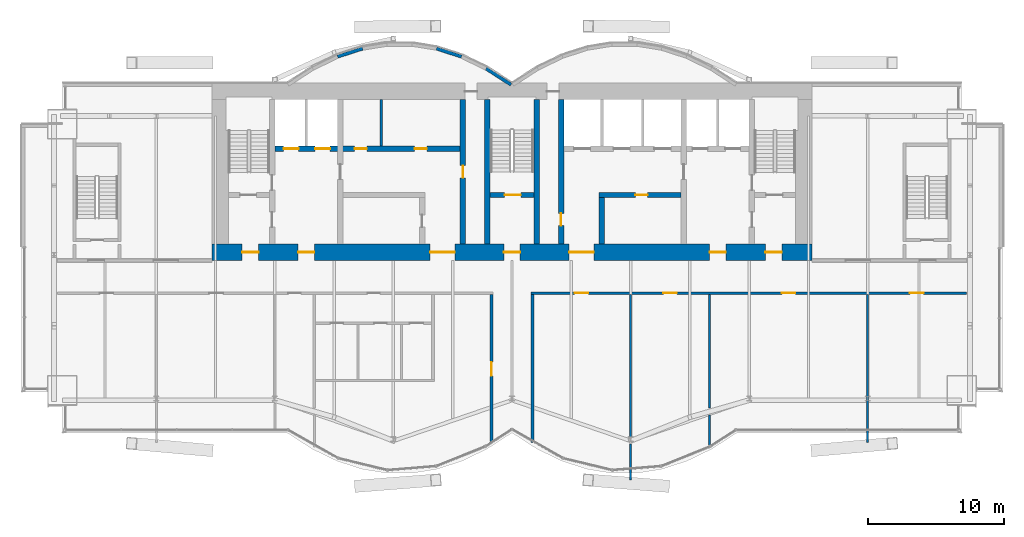
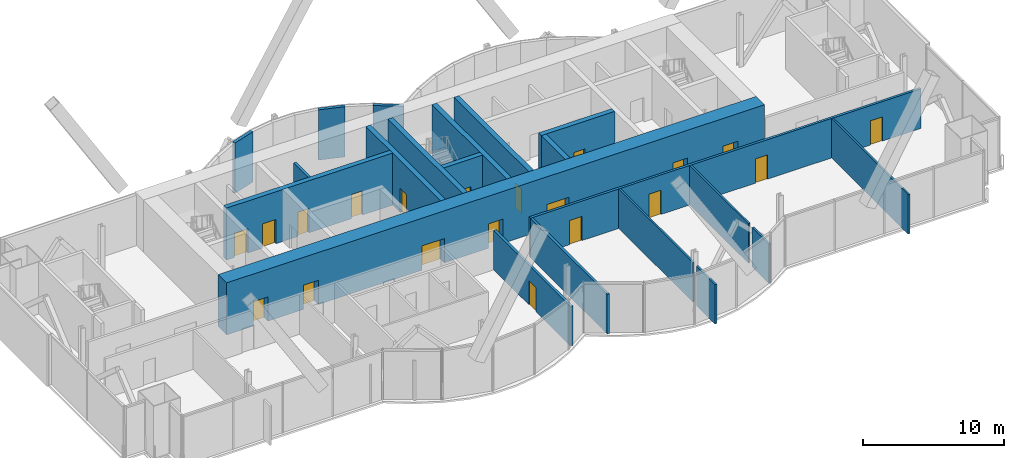
# One storey, part 14 of 19: 21 walls, 20 doors, 20 openings.
"""IFC4 building model written with IfcOpenShell, lengths in metres."""

from ifc_helpers import new_model, si_unit, direction, frame, frame_2d, origin, place, context, subcontext, project, spatial, rectangle, extrude, material, layer, layer_set, layer_usage, type_object, element, fill, save


model = new_model("IFC4")

# Units and contexts
model_context = context("Model", 3, precision=1e-05, world=origin(), true_north=direction((0.0, 1.0)))
body_context = subcontext(model_context, "Body", "Model", "MODEL_VIEW")
ifc_project = project(units=[si_unit("LENGTHUNIT", "METRE"), si_unit("AREAUNIT", "SQUARE_METRE"), si_unit("VOLUMEUNIT", "CUBIC_METRE"), si_unit("PLANEANGLEUNIT", "RADIAN"), si_unit("MASSUNIT", "GRAM", prefix="KILO")], contexts=[model_context])

# Site, building, storey
site_placement = place(None, origin())
site = spatial("IfcSite", under=ifc_project, at=site_placement, CompositionType="ELEMENT")
building_placement = place(site_placement, origin())
building = spatial("IfcBuilding", under=site, at=building_placement, Name="Bicima Exchange Tower", CompositionType="ELEMENT")
storey_placement = place(building_placement, frame((0.0, 0.0, 324.5)))
storey = spatial("IfcBuildingStorey", under=building, at=storey_placement, Name="L73", CompositionType="ELEMENT", Elevation=324.5)

# Wall, openings, doors
ifc_material_1 = material(Name="Gypsum board partition")
ifc_layer_1 = layer(ifc_material_1, 0.199951171875)
ifc_layer_set_1 = layer_set([ifc_layer_1], Name="Gypsum board partition")
wall_type_1 = type_object("IfcWallType", Name="Fire-rated gypsum partition 200 EI60", PredefinedType="PARTITIONING", material=ifc_layer_set_1)
wall_1_placement = place(storey_placement, frame((1.39990234375, -15.39990234375, 0.0), z_axis=(0.0, 0.0, 1.0), x_axis=(1.0, 0.0, 0.0)))
wall_1 = element("IfcWall", 1, at=wall_1_placement, inside=storey, type_object=wall_type_1, Name="partition wall 4", PredefinedType="PARTITIONING", context=body_context, shape_type="SweptSolid", body=[
    extrude(rectangle(XDim=31.940185546875, YDim=0.199951171875, at=frame_2d((15.97021484375, 0.0))), origin(), (0.0, 0.0, 1.0), 3.418212890625),
])
opening_1_placement = place(wall_1_placement, frame((3.199951171875, 0.0, 0.0)))
opening_1 = element("IfcOpeningElement", 2, at=opening_1_placement, cuts=wall_1, Name="Opening L73-015", PredefinedType="OPENING", context=body_context, shape_type="SweptSolid", body=[
    extrude(rectangle(XDim=1.0, YDim=2.10009765625, at=frame_2d((0.5, 1.050048828125))), frame((0.0, 0.11181640625, 0.0), z_axis=(0.0, -1.0, 0.0), x_axis=(1.0, 0.0, 0.0)), (0.0, 0.0, 1.0), 0.223876953125),
])
opening_2_placement = place(wall_1_placement, frame((9.699951171875, 0.0, 0.0)))
opening_2 = element("IfcOpeningElement", 3, at=opening_2_placement, cuts=wall_1, Name="Opening L73-016", PredefinedType="OPENING", context=body_context, shape_type="SweptSolid", body=[
    extrude(rectangle(XDim=1.0, YDim=2.10009765625, at=frame_2d((0.5, 1.050048828125))), frame((0.0, 0.11181640625, 0.0), z_axis=(0.0, -1.0, 0.0), x_axis=(1.0, 0.0, 0.0)), (0.0, 0.0, 1.0), 0.223876953125),
])
opening_3_placement = place(wall_1_placement, frame((18.39990234375, 0.0, 0.0)))
opening_3 = element("IfcOpeningElement", 4, at=opening_3_placement, cuts=wall_1, Name="Opening L73-017", PredefinedType="OPENING", context=body_context, shape_type="SweptSolid", body=[
    extrude(rectangle(XDim=1.0, YDim=2.10009765625, at=frame_2d((0.5, 1.050048828125))), frame((0.0, 0.11181640625, 0.0), z_axis=(0.0, -1.0, 0.0), x_axis=(1.0, 0.0, 0.0)), (0.0, 0.0, 1.0), 0.223876953125),
])
opening_4_placement = place(wall_1_placement, frame((27.800048828125, 0.0, 0.0)))
opening_4 = element("IfcOpeningElement", 5, at=opening_4_placement, cuts=wall_1, Name="Opening L73-018", PredefinedType="OPENING", context=body_context, shape_type="SweptSolid", body=[
    extrude(rectangle(XDim=1.0, YDim=2.10009765625, at=frame_2d((0.5, 1.050048828125))), frame((0.0, 0.11181640625, 0.0), z_axis=(0.0, -1.0, 0.0), x_axis=(1.0, 0.0, 0.0)), (0.0, 0.0, 1.0), 0.223876953125),
])
ifc_material_2 = material(Name="Steel fire door leaf", Category="steel")
door_type_1 = type_object("IfcDoorType", Name="Door 1000 swing FD30S", OperationType="SINGLE_SWING_LEFT", PredefinedType="DOOR", material=ifc_material_2)
door_1_placement = place(opening_1_placement, frame((1.0, 0.0, 0.0), z_axis=(0.0, 0.0, 1.0), x_axis=(-1.0, 0.0, 0.0)))
door_1 = element("IfcDoor", 6, at=door_1_placement, inside=storey, type_object=door_type_1, Name="Door", OperationType="SINGLE_SWING_RIGHT", OverallHeight=2.10009765625, OverallWidth=1.0, PredefinedType="DOOR", context=body_context, shape_type="SweptSolid", body=[
    extrude(rectangle(XDim=1.0, YDim=2.10009765625, at=frame_2d((0.5, 1.050048828125))), frame((0.0, 0.02490234375, 0.0), z_axis=(0.0, -1.0, 0.0), x_axis=(1.0, 0.0, 0.0)), (0.0, 0.0, 1.0), 0.050048828125),
])
fill(opening_1, door_1)
door_2_placement = place(opening_2_placement, frame((1.0, 0.0, 0.0), z_axis=(0.0, 0.0, 1.0), x_axis=(-1.0, 0.0, 0.0)))
door_2 = element("IfcDoor", 7, at=door_2_placement, inside=storey, type_object=door_type_1, Name="Door", OperationType="SINGLE_SWING_LEFT", OverallHeight=2.10009765625, OverallWidth=1.0, PredefinedType="DOOR", context=body_context, shape_type="SweptSolid", body=[
    extrude(rectangle(XDim=1.0, YDim=2.10009765625, at=frame_2d((0.5, 1.050048828125))), frame((0.0, 0.02490234375, 0.0), z_axis=(0.0, -1.0, 0.0), x_axis=(1.0, 0.0, 0.0)), (0.0, 0.0, 1.0), 0.050048828125),
])
fill(opening_2, door_2)
door_3_placement = place(opening_3_placement, frame((1.0, 0.0, 0.0), z_axis=(0.0, 0.0, 1.0), x_axis=(-1.0, 0.0, 0.0)))
door_3 = element("IfcDoor", 8, at=door_3_placement, inside=storey, type_object=door_type_1, Name="Door", OperationType="SINGLE_SWING_RIGHT", OverallHeight=2.10009765625, OverallWidth=1.0, PredefinedType="DOOR", context=body_context, shape_type="SweptSolid", body=[
    extrude(rectangle(XDim=1.0, YDim=2.10009765625, at=frame_2d((0.5, 1.050048828125))), frame((0.0, 0.02490234375, 0.0), z_axis=(0.0, -1.0, 0.0), x_axis=(1.0, 0.0, 0.0)), (0.0, 0.0, 1.0), 0.050048828125),
])
fill(opening_3, door_3)
door_4_placement = place(opening_4_placement, frame((1.0, 0.0, 0.0), z_axis=(0.0, 0.0, 1.0), x_axis=(-1.0, 0.0, 0.0)))
door_4 = element("IfcDoor", 9, at=door_4_placement, inside=storey, type_object=door_type_1, Name="Door", OperationType="SINGLE_SWING_RIGHT", OverallHeight=2.10009765625, OverallWidth=1.0, PredefinedType="DOOR", context=body_context, shape_type="SweptSolid", body=[
    extrude(rectangle(XDim=1.0, YDim=2.10009765625, at=frame_2d((0.5, 1.050048828125))), frame((0.0, 0.02490234375, 0.0), z_axis=(0.0, -1.0, 0.0), x_axis=(1.0, 0.0, 0.0)), (0.0, 0.0, 1.0), 0.050048828125),
])
fill(opening_4, door_4)

# Wall, opening, door
wall_2_placement = place(storey_placement, frame((-1.5, -26.3701171875, 0.0), z_axis=(0.0, 0.0, 1.0), x_axis=(0.0, 1.0, 0.0)))
wall_2 = element("IfcWall", 10, at=wall_2_placement, inside=storey, type_object=wall_type_1, Name="partition wall 21", PredefinedType="PARTITIONING", context=body_context, shape_type="SweptSolid", body=[
    extrude(rectangle(XDim=10.8701171875, YDim=0.199951171875, at=frame_2d((5.43505859375, 0.0))), origin(), (0.0, 0.0, 1.0), 3.418212890625),
])
opening_5_placement = place(wall_2_placement, frame((4.89990234375, 0.0, 0.0)))
opening_5 = element("IfcOpeningElement", 11, at=opening_5_placement, cuts=wall_2, Name="Opening L73-014", PredefinedType="OPENING", context=body_context, shape_type="SweptSolid", body=[
    extrude(rectangle(XDim=1.0, YDim=2.10009765625, at=frame_2d((0.5, 1.050048828125))), frame((0.0, 0.11181640625, 0.0), z_axis=(0.0, -1.0, 0.0), x_axis=(1.0, 0.0, 0.0)), (0.0, 0.0, 1.0), 0.223876953125),
])
door_5_placement = place(opening_5_placement, origin())
door_5 = element("IfcDoor", 12, at=door_5_placement, inside=storey, type_object=door_type_1, Name="Door", OperationType="SINGLE_SWING_LEFT", OverallHeight=2.10009765625, OverallWidth=1.0, PredefinedType="DOOR", context=body_context, shape_type="SweptSolid", body=[
    extrude(rectangle(XDim=1.0, YDim=2.10009765625, at=frame_2d((0.5, 1.050048828125))), frame((0.0, 0.02490234375, 0.0), z_axis=(0.0, -1.0, 0.0), x_axis=(1.0, 0.0, 0.0)), (0.0, 0.0, 1.0), 0.050048828125),
])
fill(opening_5, door_5)

# Walls
wall_3_placement = place(storey_placement, frame((1.5, -26.3701171875, 0.0), z_axis=(0.0, 0.0, 1.0), x_axis=(0.0, 1.0, 0.0)))
element("IfcWall", 13, at=wall_3_placement, inside=storey, type_object=wall_type_1, Name="partition wall 22", PredefinedType="PARTITIONING", context=body_context, shape_type="SweptSolid", body=[
    extrude(rectangle(XDim=10.8701171875, YDim=0.199951171875, at=frame_2d((5.43505859375, 0.0))), origin(), (0.0, 0.0, 1.0), 3.418212890625),
])
wall_4_placement = place(storey_placement, frame((-9.60009765625, -4.60009765625, 0.0), z_axis=(0.0, 0.0, 1.0), x_axis=(0.0, 1.0, 0.0)))
element("IfcWall", 14, at=wall_4_placement, inside=storey, type_object=wall_type_1, Name="partition wall 11", PredefinedType="PARTITIONING", context=body_context, shape_type="SweptSolid", body=[
    extrude(rectangle(XDim=3.400146484375, YDim=0.199951171875, at=frame_2d((1.7001953125, 0.0))), origin(), (0.0, 0.0, 1.0), 3.418212890625),
])
ifc_layer_2 = layer(ifc_material_1, 0.14990234375)
ifc_layer_set_2 = layer_set([ifc_layer_2], Name="Gypsum board partition")
wall_type_2 = type_object("IfcWallType", Name="Gypsum partition 150", PredefinedType="PARTITIONING", material=ifc_layer_set_2)
wall_5_placement = place(storey_placement, frame((8.699951171875, -29.12890625, 0.0), z_axis=(0.0, 0.0, 1.0), x_axis=(0.0, 1.0, 0.0)))
element("IfcWall", 15, at=wall_5_placement, inside=storey, type_object=wall_type_2, Name="partition wall 23", PredefinedType="PARTITIONING", context=body_context, shape_type="SweptSolid", body=[
    extrude(rectangle(XDim=2.641845703125, YDim=0.14990234375, at=frame_2d((1.32080078125, 0.0))), origin(), (0.0, 0.0, 1.0), 3.418212890625),
])
wall_6_placement = place(storey_placement, frame((8.699951171875, -25.999267578125, 0.0), z_axis=(0.0, 0.0, 1.0), x_axis=(0.0, 1.0, 0.0)))
element("IfcWall", 16, at=wall_6_placement, inside=storey, type_object=wall_type_2, Name="partition wall 24", PredefinedType="PARTITIONING", context=body_context, shape_type="SweptSolid", body=[
    extrude(rectangle(XDim=10.499267578125, YDim=0.14990234375, at=frame_2d((5.24951171875, 0.0))), origin(), (0.0, 0.0, 1.0), 3.418212890625),
])
wall_7_placement = place(storey_placement, frame((14.5, -26.679931640625, 0.0), z_axis=(0.0, 0.0, 1.0), x_axis=(0.0, 1.0, 0.0)))
element("IfcWall", 17, at=wall_7_placement, inside=storey, type_object=wall_type_2, Name="partition wall 25", PredefinedType="PARTITIONING", context=body_context, shape_type="SweptSolid", body=[
    extrude(rectangle(XDim=2.329833984375, YDim=0.14990234375, at=frame_2d((1.1650390625, 0.0))), origin(), (0.0, 0.0, 1.0), 3.418212890625),
])
wall_8_placement = place(storey_placement, frame((14.5, -23.820068359375, 0.0), z_axis=(0.0, 0.0, 1.0), x_axis=(0.0, 1.0, 0.0)))
element("IfcWall", 18, at=wall_8_placement, inside=storey, type_object=wall_type_2, Name="partition wall 26", PredefinedType="PARTITIONING", context=body_context, shape_type="SweptSolid", body=[
    extrude(rectangle(XDim=8.320068359375, YDim=0.14990234375, at=frame_2d((4.16015625, 0.0))), origin(), (0.0, 0.0, 1.0), 3.418212890625),
])
wall_9_placement = place(storey_placement, frame((26.10009765625, -26.361083984375, 0.0), z_axis=(0.0, 0.0, 1.0), x_axis=(0.0, 1.0, 0.0)))
element("IfcWall", 19, at=wall_9_placement, inside=storey, type_object=wall_type_2, Name="partition wall 27", PredefinedType="PARTITIONING", context=body_context, shape_type="SweptSolid", body=[
    extrude(rectangle(XDim=10.861083984375, YDim=0.14990234375, at=frame_2d((5.4306640625, 0.0))), origin(), (0.0, 0.0, 1.0), 3.418212890625),
])

# Wall, openings, doors
ifc_material_3 = material(Name="Concrete C40/50", Category="concrete")
ifc_layer_3 = layer(ifc_material_3, 1.199951171875)
ifc_layer_set_3 = layer_set([ifc_layer_3], Name="Concrete C40/50")
wall_type_3 = type_object("IfcWallType", Name="RC core wall 1200 C40/50", PredefinedType="SHEAR", material=ifc_layer_set_3)
wall_10_placement = place(storey_placement, frame((-22.0, -12.39990234375, 0.0), z_axis=(0.0, 0.0, 1.0), x_axis=(1.0, 0.0, 0.0)))
wall_10 = element("IfcWall", 20, at=wall_10_placement, inside=storey, type_object=wall_type_3, Name="Core wall south", PredefinedType="SHEAR", context=body_context, shape_type="SweptSolid", body=[
    extrude(rectangle(XDim=44.0, YDim=1.199951171875, at=frame_2d((22.0, 0.0))), origin(), (0.0, 0.0, 1.0), 4.5),
])
opening_6_placement = place(wall_10_placement, frame((2.199951171875, 0.0, 0.0)))
opening_6 = element("IfcOpeningElement", 21, at=opening_6_placement, cuts=wall_10, Name="Opening L73-C18", PredefinedType="OPENING", context=body_context, shape_type="SweptSolid", body=[
    extrude(rectangle(XDim=1.199951171875, YDim=2.10009765625, at=frame_2d((0.60009765625, 1.050048828125))), frame((0.0, 0.61181640625, 0.0), z_axis=(0.0, -1.0, 0.0), x_axis=(1.0, 0.0, 0.0)), (0.0, 0.0, 1.0), 1.223876953125),
])
opening_7_placement = place(wall_10_placement, frame((21.39990234375, 0.0, 0.0)))
opening_7 = element("IfcOpeningElement", 22, at=opening_7_placement, cuts=wall_10, Name="Opening L73-C19", PredefinedType="OPENING", context=body_context, shape_type="SweptSolid", body=[
    extrude(rectangle(XDim=1.199951171875, YDim=2.10009765625, at=frame_2d((0.60009765625, 1.050048828125))), frame((0.0, 0.61181640625, 0.0), z_axis=(0.0, -1.0, 0.0), x_axis=(1.0, 0.0, 0.0)), (0.0, 0.0, 1.0), 1.223876953125),
])
opening_8_placement = place(wall_10_placement, frame((40.60009765625, 0.0, 0.0)))
opening_8 = element("IfcOpeningElement", 23, at=opening_8_placement, cuts=wall_10, Name="Opening L73-C20", PredefinedType="OPENING", context=body_context, shape_type="SweptSolid", body=[
    extrude(rectangle(XDim=1.199951171875, YDim=2.10009765625, at=frame_2d((0.60009765625, 1.050048828125))), frame((0.0, 0.61181640625, 0.0), z_axis=(0.0, -1.0, 0.0), x_axis=(1.0, 0.0, 0.0)), (0.0, 0.0, 1.0), 1.223876953125),
])
opening_9_placement = place(wall_10_placement, frame((16.0, 0.0, 0.0)))
opening_9 = element("IfcOpeningElement", 24, at=opening_9_placement, cuts=wall_10, Name="Opening L73-C21", PredefinedType="OPENING", context=body_context, shape_type="SweptSolid", body=[
    extrude(rectangle(XDim=1.800048828125, YDim=2.10009765625, at=frame_2d((0.89990234375, 1.050048828125))), frame((0.0, 0.61181640625, 0.0), z_axis=(0.0, -1.0, 0.0), x_axis=(1.0, 0.0, 0.0)), (0.0, 0.0, 1.0), 1.223876953125),
])
opening_10_placement = place(wall_10_placement, frame((6.300048828125, 0.0, 0.0)))
opening_10 = element("IfcOpeningElement", 25, at=opening_10_placement, cuts=wall_10, Name="Opening L73-C22", PredefinedType="OPENING", context=body_context, shape_type="SweptSolid", body=[
    extrude(rectangle(XDim=1.199951171875, YDim=2.10009765625, at=frame_2d((0.60009765625, 1.050048828125))), frame((0.0, 0.61181640625, 0.0), z_axis=(0.0, -1.0, 0.0), x_axis=(1.0, 0.0, 0.0)), (0.0, 0.0, 1.0), 1.223876953125),
])
opening_11_placement = place(wall_10_placement, frame((26.199951171875, 0.0, 0.0)))
opening_11 = element("IfcOpeningElement", 26, at=opening_11_placement, cuts=wall_10, Name="Opening L73-C23", PredefinedType="OPENING", context=body_context, shape_type="SweptSolid", body=[
    extrude(rectangle(XDim=1.800048828125, YDim=2.10009765625, at=frame_2d((0.89990234375, 1.050048828125))), frame((0.0, 0.61181640625, 0.0), z_axis=(0.0, -1.0, 0.0), x_axis=(1.0, 0.0, 0.0)), (0.0, 0.0, 1.0), 1.223876953125),
])
opening_12_placement = place(wall_10_placement, frame((36.5, 0.0, 0.0)))
opening_12 = element("IfcOpeningElement", 27, at=opening_12_placement, cuts=wall_10, Name="Opening L73-C24", PredefinedType="OPENING", context=body_context, shape_type="SweptSolid", body=[
    extrude(rectangle(XDim=1.199951171875, YDim=2.10009765625, at=frame_2d((0.60009765625, 1.050048828125))), frame((0.0, 0.61181640625, 0.0), z_axis=(0.0, -1.0, 0.0), x_axis=(1.0, 0.0, 0.0)), (0.0, 0.0, 1.0), 1.223876953125),
])
door_type_2 = type_object("IfcDoorType", Name="Door 1200 swing FD60S", OperationType="SINGLE_SWING_LEFT", PredefinedType="DOOR", material=ifc_material_2)
door_6_placement = place(opening_6_placement, frame((1.199951171875, 0.0, 0.0), z_axis=(0.0, 0.0, 1.0), x_axis=(-1.0, 0.0, 0.0)))
door_6 = element("IfcDoor", 28, at=door_6_placement, inside=storey, type_object=door_type_2, Name="Core door", OperationType="SINGLE_SWING_RIGHT", OverallHeight=2.10009765625, OverallWidth=1.199951171875, PredefinedType="DOOR", context=body_context, shape_type="SweptSolid", body=[
    extrude(rectangle(XDim=1.199951171875, YDim=2.10009765625, at=frame_2d((0.60009765625, 1.050048828125))), frame((0.0, 0.02490234375, 0.0), z_axis=(0.0, -1.0, 0.0), x_axis=(1.0, 0.0, 0.0)), (0.0, 0.0, 1.0), 0.050048828125),
])
fill(opening_6, door_6)
door_7_placement = place(opening_7_placement, frame((1.199951171875, 0.0, 0.0), z_axis=(0.0, 0.0, 1.0), x_axis=(-1.0, 0.0, 0.0)))
door_7 = element("IfcDoor", 29, at=door_7_placement, inside=storey, type_object=door_type_2, Name="Core door", OperationType="SINGLE_SWING_RIGHT", OverallHeight=2.10009765625, OverallWidth=1.199951171875, PredefinedType="DOOR", context=body_context, shape_type="SweptSolid", body=[
    extrude(rectangle(XDim=1.199951171875, YDim=2.10009765625, at=frame_2d((0.60009765625, 1.050048828125))), frame((0.0, 0.02490234375, 0.0), z_axis=(0.0, -1.0, 0.0), x_axis=(1.0, 0.0, 0.0)), (0.0, 0.0, 1.0), 0.050048828125),
])
fill(opening_7, door_7)
door_8_placement = place(opening_8_placement, frame((1.199951171875, 0.0, 0.0), z_axis=(0.0, 0.0, 1.0), x_axis=(-1.0, 0.0, 0.0)))
door_8 = element("IfcDoor", 30, at=door_8_placement, inside=storey, type_object=door_type_2, Name="Core door", OperationType="SINGLE_SWING_RIGHT", OverallHeight=2.10009765625, OverallWidth=1.199951171875, PredefinedType="DOOR", context=body_context, shape_type="SweptSolid", body=[
    extrude(rectangle(XDim=1.199951171875, YDim=2.10009765625, at=frame_2d((0.60009765625, 1.050048828125))), frame((0.0, 0.02490234375, 0.0), z_axis=(0.0, -1.0, 0.0), x_axis=(1.0, 0.0, 0.0)), (0.0, 0.0, 1.0), 0.050048828125),
])
fill(opening_8, door_8)
door_9_placement = place(opening_10_placement, frame((1.199951171875, 0.0, 0.0), z_axis=(0.0, 0.0, 1.0), x_axis=(-1.0, 0.0, 0.0)))
door_9 = element("IfcDoor", 31, at=door_9_placement, inside=storey, type_object=door_type_2, Name="Core door", OperationType="SINGLE_SWING_RIGHT", OverallHeight=2.10009765625, OverallWidth=1.199951171875, PredefinedType="DOOR", context=body_context, shape_type="SweptSolid", body=[
    extrude(rectangle(XDim=1.199951171875, YDim=2.10009765625, at=frame_2d((0.60009765625, 1.050048828125))), frame((0.0, 0.02490234375, 0.0), z_axis=(0.0, -1.0, 0.0), x_axis=(1.0, 0.0, 0.0)), (0.0, 0.0, 1.0), 0.050048828125),
])
fill(opening_10, door_9)
door_10_placement = place(opening_12_placement, frame((1.199951171875, 0.0, 0.0), z_axis=(0.0, 0.0, 1.0), x_axis=(-1.0, 0.0, 0.0)))
door_10 = element("IfcDoor", 32, at=door_10_placement, inside=storey, type_object=door_type_2, Name="Core door", OperationType="SINGLE_SWING_RIGHT", OverallHeight=2.10009765625, OverallWidth=1.199951171875, PredefinedType="DOOR", context=body_context, shape_type="SweptSolid", body=[
    extrude(rectangle(XDim=1.199951171875, YDim=2.10009765625, at=frame_2d((0.60009765625, 1.050048828125))), frame((0.0, 0.02490234375, 0.0), z_axis=(0.0, -1.0, 0.0), x_axis=(1.0, 0.0, 0.0)), (0.0, 0.0, 1.0), 0.050048828125),
])
fill(opening_12, door_10)
door_type_3 = type_object("IfcDoorType", Name="Door 1800 double swing FD30S", OperationType="DOUBLE_DOOR_SINGLE_SWING", PredefinedType="DOOR", material=ifc_material_2)
door_11_placement = place(opening_9_placement, origin())
door_11 = element("IfcDoor", 33, at=door_11_placement, inside=storey, type_object=door_type_3, Name="Core door", OperationType="SINGLE_SWING_LEFT", OverallHeight=2.10009765625, OverallWidth=1.800048828125, PredefinedType="DOOR", context=body_context, shape_type="SweptSolid", body=[
    extrude(rectangle(XDim=1.800048828125, YDim=2.10009765625, at=frame_2d((0.89990234375, 1.050048828125))), frame((0.0, 0.02490234375, 0.0), z_axis=(0.0, -1.0, 0.0), x_axis=(1.0, 0.0, 0.0)), (0.0, 0.0, 1.0), 0.050048828125),
])
fill(opening_9, door_11)
door_12_placement = place(opening_11_placement, origin())
door_12 = element("IfcDoor", 34, at=door_12_placement, inside=storey, type_object=door_type_3, Name="Core door", OperationType="SINGLE_SWING_LEFT", OverallHeight=2.10009765625, OverallWidth=1.800048828125, PredefinedType="DOOR", context=body_context, shape_type="SweptSolid", body=[
    extrude(rectangle(XDim=1.800048828125, YDim=2.10009765625, at=frame_2d((0.89990234375, 1.050048828125))), frame((0.0, 0.02490234375, 0.0), z_axis=(0.0, -1.0, 0.0), x_axis=(1.0, 0.0, 0.0)), (0.0, 0.0, 1.0), 0.050048828125),
])
fill(opening_11, door_12)

# Wall, opening, door
ifc_layer_4 = layer(ifc_material_3, 0.39990234375)
ifc_layer_set_4 = layer_set([ifc_layer_4], Name="Concrete C40/50")
wall_type_4 = type_object("IfcWallType", Name="RC core wall 400 C40/50", PredefinedType="SHEAR", material=ifc_layer_set_4)
wall_11_placement = place(storey_placement, frame((6.39990234375, -8.199951171875, 0.0), z_axis=(0.0, 0.0, 1.0), x_axis=(1.0, 0.0, 0.0)))
wall_11 = element("IfcWall", 35, at=wall_11_placement, inside=storey, type_object=wall_type_4, Name="shear wall 4", PredefinedType="SHEAR", context=body_context, shape_type="SweptSolid", body=[
    extrude(rectangle(XDim=6.0, YDim=0.39990234375, at=frame_2d((3.0, 0.0))), origin(), (0.0, 0.0, 1.0), 4.5),
])
opening_13_placement = place(wall_11_placement, frame((2.64990234375, 0.0, 0.0)))
opening_13 = element("IfcOpeningElement", 36, at=opening_13_placement, cuts=wall_11, Name="Opening L73-C15", PredefinedType="OPENING", context=body_context, shape_type="SweptSolid", body=[
    extrude(rectangle(XDim=0.89990234375, YDim=2.10009765625, at=frame_2d((0.449951171875, 1.050048828125))), frame((0.0, 0.2119140625, 0.0), z_axis=(0.0, -1.0, 0.0), x_axis=(1.0, 0.0, 0.0)), (0.0, 0.0, 1.0), 0.423828125),
])
door_type_4 = type_object("IfcDoorType", Name="Door 900 swing FD30S", OperationType="SINGLE_SWING_LEFT", PredefinedType="DOOR", material=ifc_material_2)
door_13_placement = place(opening_13_placement, frame((0.89990234375, 0.0, 0.0), z_axis=(0.0, 0.0, 1.0), x_axis=(-1.0, 0.0, 0.0)))
door_13 = element("IfcDoor", 37, at=door_13_placement, inside=storey, type_object=door_type_4, Name="Core door", OperationType="SINGLE_SWING_RIGHT", OverallHeight=2.10009765625, OverallWidth=0.89990234375, PredefinedType="DOOR", context=body_context, shape_type="SweptSolid", body=[
    extrude(rectangle(XDim=0.89990234375, YDim=2.10009765625, at=frame_2d((0.449951171875, 1.050048828125))), frame((0.0, 0.02490234375, 0.0), z_axis=(0.0, -1.0, 0.0), x_axis=(1.0, 0.0, 0.0)), (0.0, 0.0, 1.0), 0.050048828125),
])
fill(opening_13, door_13)

# Wall, openings, doors
wall_12_placement = place(storey_placement, frame((-17.39990234375, -4.800048828125, 0.0), z_axis=(0.0, 0.0, 1.0), x_axis=(1.0, 0.0, 0.0)))
wall_12 = element("IfcWall", 38, at=wall_12_placement, inside=storey, type_object=wall_type_4, Name="shear wall 6", PredefinedType="SHEAR", context=body_context, shape_type="SweptSolid", body=[
    extrude(rectangle(XDim=13.599853515625, YDim=0.39990234375, at=frame_2d((6.7998046875, 0.0))), origin(), (0.0, 0.0, 1.0), 4.5),
])
opening_14_placement = place(wall_12_placement, frame((0.64990234375, 0.0, 0.0)))
opening_14 = element("IfcOpeningElement", 39, at=opening_14_placement, cuts=wall_12, Name="Opening LD-FF1-L73", PredefinedType="OPENING", context=body_context, shape_type="SweptSolid", body=[
    extrude(rectangle(XDim=1.10009765625, YDim=2.10009765625, at=frame_2d((0.550048828125, 1.050048828125))), frame((0.0, 0.2119140625, 0.0), z_axis=(0.0, -1.0, 0.0), x_axis=(1.0, 0.0, 0.0)), (0.0, 0.0, 1.0), 0.423828125),
])
opening_15_placement = place(wall_12_placement, frame((2.949951171875, 0.0, 0.0)))
opening_15 = element("IfcOpeningElement", 40, at=opening_15_placement, cuts=wall_12, Name="Opening LD-FF3-L73", PredefinedType="OPENING", context=body_context, shape_type="SweptSolid", body=[
    extrude(rectangle(XDim=1.10009765625, YDim=2.10009765625, at=frame_2d((0.550048828125, 1.050048828125))), frame((0.0, 0.2119140625, 0.0), z_axis=(0.0, -1.0, 0.0), x_axis=(1.0, 0.0, 0.0)), (0.0, 0.0, 1.0), 0.423828125),
])
opening_16_placement = place(wall_12_placement, frame((5.85009765625, 0.0, 0.0)))
opening_16 = element("IfcOpeningElement", 41, at=opening_16_placement, cuts=wall_12, Name="Opening L73-C12", PredefinedType="OPENING", context=body_context, shape_type="SweptSolid", body=[
    extrude(rectangle(XDim=0.89990234375, YDim=2.10009765625, at=frame_2d((0.449951171875, 1.050048828125))), frame((0.0, 0.2119140625, 0.0), z_axis=(0.0, -1.0, 0.0), x_axis=(1.0, 0.0, 0.0)), (0.0, 0.0, 1.0), 0.423828125),
])
opening_17_placement = place(wall_12_placement, frame((10.25, 0.0, 0.0)))
opening_17 = element("IfcOpeningElement", 42, at=opening_17_placement, cuts=wall_12, Name="Opening L73-C13", PredefinedType="OPENING", context=body_context, shape_type="SweptSolid", body=[
    extrude(rectangle(XDim=0.89990234375, YDim=2.10009765625, at=frame_2d((0.449951171875, 1.050048828125))), frame((0.0, 0.2119140625, 0.0), z_axis=(0.0, -1.0, 0.0), x_axis=(1.0, 0.0, 0.0)), (0.0, 0.0, 1.0), 0.423828125),
])
door_14_placement = place(opening_16_placement, origin())
door_14 = element("IfcDoor", 43, at=door_14_placement, inside=storey, type_object=door_type_4, Name="Core door", OperationType="SINGLE_SWING_RIGHT", OverallHeight=2.10009765625, OverallWidth=0.89990234375, PredefinedType="DOOR", context=body_context, shape_type="SweptSolid", body=[
    extrude(rectangle(XDim=0.89990234375, YDim=2.10009765625, at=frame_2d((0.449951171875, 1.050048828125))), frame((0.0, 0.02490234375, 0.0), z_axis=(0.0, -1.0, 0.0), x_axis=(1.0, 0.0, 0.0)), (0.0, 0.0, 1.0), 0.050048828125),
])
fill(opening_16, door_14)
door_15_placement = place(opening_17_placement, origin())
door_15 = element("IfcDoor", 44, at=door_15_placement, inside=storey, type_object=door_type_4, Name="Core door", OperationType="SINGLE_SWING_LEFT", OverallHeight=2.10009765625, OverallWidth=0.89990234375, PredefinedType="DOOR", context=body_context, shape_type="SweptSolid", body=[
    extrude(rectangle(XDim=0.89990234375, YDim=2.10009765625, at=frame_2d((0.449951171875, 1.050048828125))), frame((0.0, 0.02490234375, 0.0), z_axis=(0.0, -1.0, 0.0), x_axis=(1.0, 0.0, 0.0)), (0.0, 0.0, 1.0), 0.050048828125),
])
fill(opening_17, door_15)
ifc_material_4 = material(Name="Stainless steel", Category="steel")
door_type_5 = type_object("IfcDoorType", Name="Lift landing door 1100 sliding", OperationType="DOUBLE_DOOR_SLIDING", PredefinedType="DOOR", material=ifc_material_4)
door_16_placement = place(opening_14_placement, origin())
door_16 = element("IfcDoor", 45, at=door_16_placement, inside=storey, type_object=door_type_5, Name="Lift landing door FF1", OperationType="DOUBLE_DOOR_SLIDING", OverallHeight=2.10009765625, OverallWidth=1.10009765625, PredefinedType="DOOR", context=body_context, shape_type="SweptSolid", body=[
    extrude(rectangle(XDim=1.10009765625, YDim=2.10009765625, at=frame_2d((0.550048828125, 1.050048828125))), frame((0.0, 0.02490234375, 0.0), z_axis=(0.0, -1.0, 0.0), x_axis=(1.0, 0.0, 0.0)), (0.0, 0.0, 1.0), 0.050048828125),
])
fill(opening_14, door_16)
door_17_placement = place(opening_15_placement, origin())
door_17 = element("IfcDoor", 46, at=door_17_placement, inside=storey, type_object=door_type_5, Name="Lift landing door FF3", OperationType="DOUBLE_DOOR_SLIDING", OverallHeight=2.10009765625, OverallWidth=1.10009765625, PredefinedType="DOOR", context=body_context, shape_type="SweptSolid", body=[
    extrude(rectangle(XDim=1.10009765625, YDim=2.10009765625, at=frame_2d((0.550048828125, 1.050048828125))), frame((0.0, 0.02490234375, 0.0), z_axis=(0.0, -1.0, 0.0), x_axis=(1.0, 0.0, 0.0)), (0.0, 0.0, 1.0), 0.050048828125),
])
fill(opening_15, door_17)

# Wall, opening, door
wall_13_placement = place(storey_placement, frame((-3.60009765625, -11.800048828125, 0.0), z_axis=(0.0, 0.0, 1.0), x_axis=(0.0, 1.0, 0.0)))
wall_13 = element("IfcWall", 47, at=wall_13_placement, inside=storey, type_object=wall_type_4, Name="shear wall 13", PredefinedType="SHEAR", context=body_context, shape_type="SweptSolid", body=[
    extrude(rectangle(XDim=10.60009765625, YDim=0.39990234375, at=frame_2d((5.300048828125, 0.0))), origin(), (0.0, 0.0, 1.0), 4.5),
])
opening_18_placement = place(wall_13_placement, frame((4.85009765625, 0.0, 0.0)))
opening_18 = element("IfcOpeningElement", 48, at=opening_18_placement, cuts=wall_13, Name="Opening L73-C10", PredefinedType="OPENING", context=body_context, shape_type="SweptSolid", body=[
    extrude(rectangle(XDim=0.89990234375, YDim=2.10009765625, at=frame_2d((0.449951171875, 1.050048828125))), frame((0.0, 0.2119140625, 0.0), z_axis=(0.0, -1.0, 0.0), x_axis=(1.0, 0.0, 0.0)), (0.0, 0.0, 1.0), 0.423828125),
])
door_18_placement = place(opening_18_placement, frame((0.89990234375, 0.0, 0.0), z_axis=(0.0, 0.0, 1.0), x_axis=(-1.0, 0.0, 0.0)))
door_18 = element("IfcDoor", 49, at=door_18_placement, inside=storey, type_object=door_type_4, Name="Core door", OperationType="SINGLE_SWING_LEFT", OverallHeight=2.10009765625, OverallWidth=0.89990234375, PredefinedType="DOOR", context=body_context, shape_type="SweptSolid", body=[
    extrude(rectangle(XDim=0.89990234375, YDim=2.10009765625, at=frame_2d((0.449951171875, 1.050048828125))), frame((0.0, 0.02490234375, 0.0), z_axis=(0.0, -1.0, 0.0), x_axis=(1.0, 0.0, 0.0)), (0.0, 0.0, 1.0), 0.050048828125),
])
fill(opening_18, door_18)

wall_14_placement = place(storey_placement, frame((3.60009765625, -11.800048828125, 0.0), z_axis=(0.0, 0.0, 1.0), x_axis=(0.0, 1.0, 0.0)))
wall_14 = element("IfcWall", 50, at=wall_14_placement, inside=storey, type_object=wall_type_4, Name="shear wall 16", PredefinedType="SHEAR", context=body_context, shape_type="SweptSolid", body=[
    extrude(rectangle(XDim=10.60009765625, YDim=0.39990234375, at=frame_2d((5.300048828125, 0.0))), origin(), (0.0, 0.0, 1.0), 4.5),
])
opening_19_placement = place(wall_14_placement, frame((1.35009765625, 0.0, 0.0)))
opening_19 = element("IfcOpeningElement", 51, at=opening_19_placement, cuts=wall_14, Name="Opening L73-C11", PredefinedType="OPENING", context=body_context, shape_type="SweptSolid", body=[
    extrude(rectangle(XDim=0.89990234375, YDim=2.10009765625, at=frame_2d((0.449951171875, 1.050048828125))), frame((0.0, 0.2119140625, 0.0), z_axis=(0.0, -1.0, 0.0), x_axis=(1.0, 0.0, 0.0)), (0.0, 0.0, 1.0), 0.423828125),
])
door_19_placement = place(opening_19_placement, origin())
door_19 = element("IfcDoor", 52, at=door_19_placement, inside=storey, type_object=door_type_4, Name="Core door", OperationType="SINGLE_SWING_LEFT", OverallHeight=2.10009765625, OverallWidth=0.89990234375, PredefinedType="DOOR", context=body_context, shape_type="SweptSolid", body=[
    extrude(rectangle(XDim=0.89990234375, YDim=2.10009765625, at=frame_2d((0.449951171875, 1.050048828125))), frame((0.0, 0.02490234375, 0.0), z_axis=(0.0, -1.0, 0.0), x_axis=(1.0, 0.0, 0.0)), (0.0, 0.0, 1.0), 0.050048828125),
])
fill(opening_19, door_19)

# Wall
wall_15_placement = place(storey_placement, frame((6.60009765625, -11.800048828125, 0.0), z_axis=(0.0, 0.0, 1.0), x_axis=(0.0, 1.0, 0.0)))
element("IfcWall", 53, at=wall_15_placement, inside=storey, type_object=wall_type_4, Name="shear wall 17", PredefinedType="SHEAR", context=body_context, shape_type="SweptSolid", body=[
    extrude(rectangle(XDim=3.400146484375, YDim=0.39990234375, at=frame_2d((1.7001953125, 0.0))), origin(), (0.0, 0.0, 1.0), 4.5),
])

# Wall, opening, door
ifc_material_5 = material(Name="Concrete C50/60", Category="concrete")
ifc_layer_5 = layer(ifc_material_5, 0.39990234375)
ifc_layer_set_5 = layer_set([ifc_layer_5], Name="Concrete C50/60")
wall_type_5 = type_object("IfcWallType", Name="RC core wall 400 C50/60", PredefinedType="SHEAR", material=ifc_layer_set_5)
wall_16_placement = place(storey_placement, frame((-1.60009765625, -8.199951171875, 0.0), z_axis=(0.0, 0.0, 1.0), x_axis=(1.0, 0.0, 0.0)))
wall_16 = element("IfcWall", 54, at=wall_16_placement, inside=storey, type_object=wall_type_5, Name="stair wall 3", PredefinedType="SHEAR", context=body_context, shape_type="SweptSolid", body=[
    extrude(rectangle(XDim=3.2001953125, YDim=0.39990234375, at=frame_2d((1.60009765625, 0.0))), origin(), (0.0, 0.0, 1.0), 4.5),
])
opening_20_placement = place(wall_16_placement, frame((1.050048828125, 0.0, 0.0)))
opening_20 = element("IfcOpeningElement", 55, at=opening_20_placement, cuts=wall_16, Name="Opening L73-C03", PredefinedType="OPENING", context=body_context, shape_type="SweptSolid", body=[
    extrude(rectangle(XDim=1.199951171875, YDim=2.10009765625, at=frame_2d((0.60009765625, 1.050048828125))), frame((0.0, 0.2119140625, 0.0), z_axis=(0.0, -1.0, 0.0), x_axis=(1.0, 0.0, 0.0)), (0.0, 0.0, 1.0), 0.423828125),
])
door_20_placement = place(opening_20_placement, origin())
door_20 = element("IfcDoor", 56, at=door_20_placement, inside=storey, type_object=door_type_2, Name="Core door", OperationType="SINGLE_SWING_LEFT", OverallHeight=2.10009765625, OverallWidth=1.199951171875, PredefinedType="DOOR", context=body_context, shape_type="SweptSolid", body=[
    extrude(rectangle(XDim=1.199951171875, YDim=2.10009765625, at=frame_2d((0.60009765625, 1.050048828125))), frame((0.0, 0.02490234375, 0.0), z_axis=(0.0, -1.0, 0.0), x_axis=(1.0, 0.0, 0.0)), (0.0, 0.0, 1.0), 0.050048828125),
])
fill(opening_20, door_20)

# Walls
for number, where, z_axis, x_axis, name in (
    (57, (-1.800048828125, -11.800048828125, 0.0), (0.0, 0.0, 1.0), (0.0, 1.0, 0.0), "stair wall 14"),
    (58, (1.800048828125, -11.800048828125, 0.0), (0.0, 0.0, 1.0), (0.0, 1.0, 0.0), "stair wall 15"),
):
    element("IfcWall", number, at=place(storey_placement, frame(where, z_axis=z_axis, x_axis=x_axis)), inside=storey, type_object=wall_type_5, Name=name, PredefinedType="SHEAR", context=body_context, shape_type="SweptSolid", body=[
        extrude(rectangle(XDim=10.60009765625, YDim=0.39990234375, at=frame_2d((5.300048828125, 0.0))), origin(), (0.0, 0.0, 1.0), 4.5),
    ])
ifc_layer_6 = layer(ifc_material_3, 0.25)
ifc_layer_set_6 = layer_set([ifc_layer_6], Name="Concrete C40/50")
ifc_layer_usage = layer_usage(ifc_layer_set_6, "AXIS2", "POSITIVE", -0.125)
wall_type_6 = type_object("IfcWallType", Name="Rear backup wall 250", PredefinedType="STANDARD", material=ifc_layer_set_6)
wall_17_placement = place(storey_placement, frame((-0.06787109375, -0.10498046875, 0.0), z_axis=(0.0, 0.0, 1.0), x_axis=(-0.83981312244, 0.542875602121, 0.0)))
element("IfcWall", 59, at=wall_17_placement, inside=storey, type_object=wall_type_6, material=ifc_layer_usage, Name="Rear backup wall L73 11", PredefinedType="STANDARD", context=body_context, shape_type="SweptSolid", body=[
    extrude(rectangle(XDim=2.182861328125, YDim=0.25, at=frame_2d((1.09130859375, 0.0))), origin(), (0.0, 0.0, 1.0), 4.35009765625),
])
for number, where, z_axis, x_axis, name in (
    (60, (-3.705078125, 1.955078125, 0.0), (0.0, 0.0, 1.0), (-0.951495806175, 0.307661714928, 0.0), "Rear backup wall L73 13"),
    (61, (-10.961669921875, 2.5478515625, 0.0), (0.0, 0.0, 1.0), (-0.951495806175, -0.307661714928, 0.0), "Rear backup wall L73 17"),
):
    element("IfcWall", number, at=place(storey_placement, frame(where, z_axis=z_axis, x_axis=x_axis)), inside=storey, type_object=wall_type_6, material=ifc_layer_usage, Name=name, PredefinedType="STANDARD", context=body_context, shape_type="SweptSolid", body=[
        extrude(rectangle(XDim=1.9267578125, YDim=0.25, at=frame_2d((0.96337890625, 0.0))), origin(), (0.0, 0.0, 1.0), 4.35009765625),
    ])

save(model, "model.ifc")
